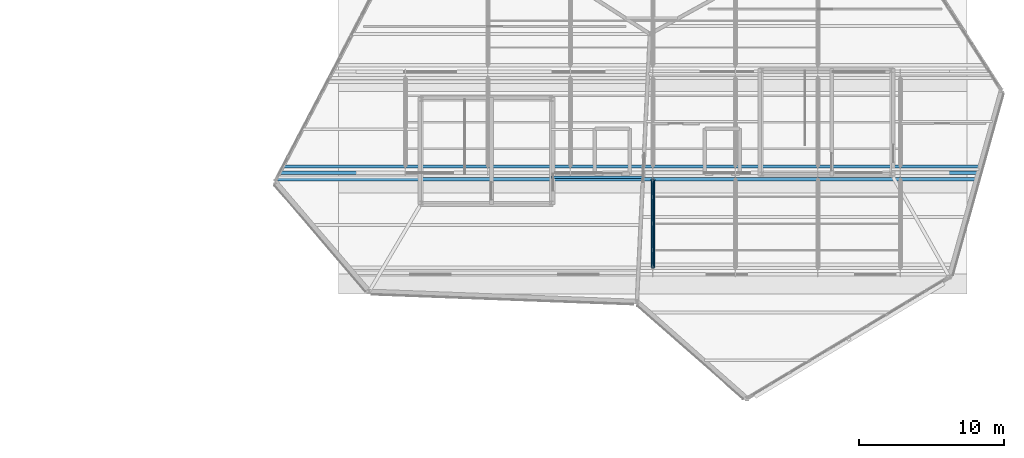
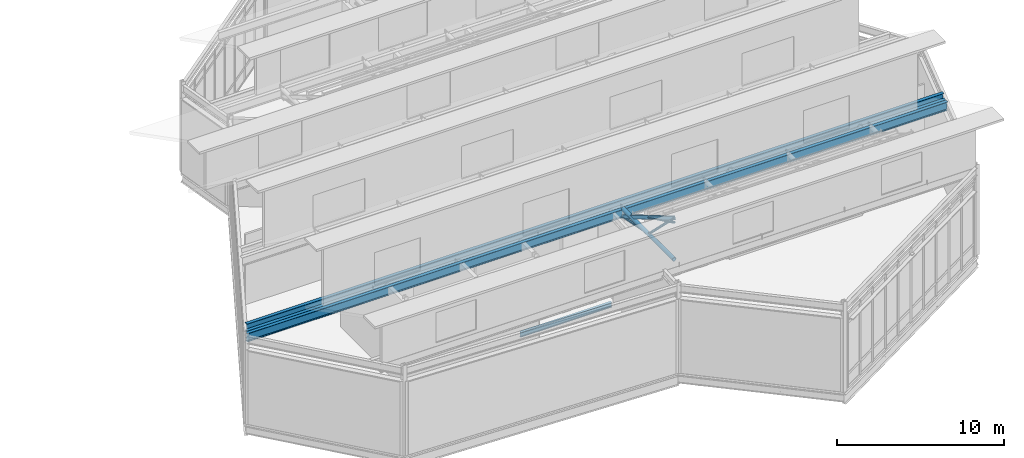
# One storey, part 14 of 55: 5 members, 4 beams.
"""IFC4 building model written with IfcOpenShell, lengths in metres."""

from ifc_helpers import new_model, si_unit, direction, frame, origin, origin_2d, place, context, subcontext, project, spatial, hollow_rectangle, hollow_circle, i_section, extrude, material, material_profile, profile_set, type_object, element, save


model = new_model("IFC4")

# Units and contexts
model_context = context("Model", 3, precision=1e-05, world=origin(), true_north=direction((0.0, 1.0)))
body_context = subcontext(model_context, "Body", "Model", "MODEL_VIEW")
ifc_project = project(units=[si_unit("LENGTHUNIT", "METRE"), si_unit("AREAUNIT", "SQUARE_METRE"), si_unit("VOLUMEUNIT", "CUBIC_METRE"), si_unit("PLANEANGLEUNIT", "RADIAN"), si_unit("MASSUNIT", "GRAM", prefix="KILO")], contexts=[model_context])

# Site, building, storey
site_placement = place(None, origin())
site = spatial("IfcSite", under=ifc_project, at=site_placement, CompositionType="ELEMENT")
building_placement = place(site_placement, origin())
building = spatial("IfcBuilding", under=site, at=building_placement, Name="Tameran Prism Museum", CompositionType="ELEMENT")
storey_placement = place(building_placement, frame((0.0, 0.0, 28.800048828125)))
storey = spatial("IfcBuildingStorey", under=building, at=storey_placement, Name="L05", CompositionType="ELEMENT", Elevation=28.800048828125)

# Beams
ifc_material_1 = material(Name="Steel Grade 300PLUS (300 MPa)", Category="steel")
ifc_material_profile_1 = material_profile(ifc_material_1, i_section(OverallWidth=0.172119140625, OverallDepth=0.35888671875, WebThickness=0.008056640625, FlangeThickness=0.012939453125, FilletRadius=0.011474609375, at=origin_2d()))
ifc_profile_set_1 = profile_set([ifc_material_profile_1])
beam_type_1 = type_object("IfcBeamType", Name="BM-J360A", PredefinedType="JOIST", material=ifc_profile_set_1)
beam_1_placement = place(storey_placement, frame((111.97998046875, 79.199951171875, -0.41943359375), z_axis=(1.0, 0.0, 0.0), x_axis=(0.0, 1.0, 0.0)))
element("IfcBeam", 1, at=beam_1_placement, inside=storey, type_object=beam_type_1, Name="Floor Beam BM-1286", PredefinedType="JOIST", context=body_context, shape_type="SweptSolid", body=[
    extrude(i_section(OverallWidth=0.172119140625, OverallDepth=0.35888671875, WebThickness=0.008056640625, FlangeThickness=0.012939453125, FilletRadius=0.011474609375, at=origin_2d()), origin(), (0.0, 0.0, 1.0), 6.298095703125),
])
ifc_material_2 = material(Name="Steel Grade 300PLUS (300 MPa)", Category="steel")
ifc_material_profile_2 = material_profile(ifc_material_2, i_section(OverallWidth=0.22900390625, OverallDepth=0.612060546875, WebThickness=0.011962890625, FlangeThickness=0.01953125, FilletRadius=0.013916015625, at=origin_2d()))
ifc_profile_set_2 = profile_set([ifc_material_profile_2])
beam_type_2 = type_object("IfcBeamType", Name="BM-UB610A", PredefinedType="BEAM", material=ifc_profile_set_2)
beam_2_placement = place(storey_placement, frame((93.029052734375, 79.06005859375, 6.10595703125), z_axis=(1.0, 0.0, 0.0), x_axis=(0.0, 1.0, 0.0)))
element("IfcBeam", 2, at=beam_2_placement, inside=storey, type_object=beam_type_2, Name="Sawtooth Support Girder SRG-005", PredefinedType="BEAM", context=body_context, shape_type="SweptSolid", body=[
    extrude(i_section(OverallWidth=0.22900390625, OverallDepth=0.612060546875, WebThickness=0.011962890625, FlangeThickness=0.01953125, FilletRadius=0.013916015625, at=origin_2d()), origin(), (0.0, 0.0, 1.0), 48.31591796875),
])
beam_3_placement = place(storey_placement, frame((93.488037109375, 79.93994140625, 6.10595703125), z_axis=(1.0, 0.0, 0.0), x_axis=(0.0, 1.0, 0.0)))
element("IfcBeam", 3, at=beam_3_placement, inside=storey, type_object=beam_type_2, Name="Sawtooth Support Girder SRG-010", PredefinedType="BEAM", context=body_context, shape_type="SweptSolid", body=[
    extrude(i_section(OverallWidth=0.22900390625, OverallDepth=0.612060546875, WebThickness=0.011962890625, FlangeThickness=0.01953125, FilletRadius=0.013916015625, at=origin_2d()), origin(), (0.0, 0.0, 1.0), 48.10302734375),
])
beam_4_placement = place(storey_placement, frame((93.259033203125, 79.5, 5.94384765625), z_axis=(1.0, 0.0, 0.0), x_axis=(0.0, 1.0, 0.0)))
element("IfcBeam", 4, at=beam_4_placement, inside=storey, type_object=beam_type_2, Name="Sawtooth Support Girder SRG-012", PredefinedType="BEAM", context=body_context, shape_type="SweptSolid", body=[
    extrude(i_section(OverallWidth=0.22900390625, OverallDepth=0.612060546875, WebThickness=0.011962890625, FlangeThickness=0.01953125, FilletRadius=0.013916015625, at=origin_2d()), origin(), (0.0, 0.0, 1.0), 48.208984375),
])

# Members
ifc_material_3 = material(Name="Steel Grade C350L0 (350 MPa)", Category="steel")
ifc_material_profile_3 = material_profile(ifc_material_3, hollow_circle(Radius=0.084228515625, WallThickness=0.007080078125, at=origin_2d()))
ifc_profile_set_3 = profile_set([ifc_material_profile_3])
member_type_1 = type_object("IfcMemberType", Name="MM-BR-CHS168", PredefinedType="BRACE", material=ifc_profile_set_3)
member_1_placement = place(storey_placement, frame((119.0, 76.0, 6.385986328125), z_axis=(0.0, -0.711407246691, 0.70278000068), x_axis=(1.0, 0.0, 0.0)))
element("IfcMember", 5, at=member_1_placement, inside=storey, type_object=member_type_1, Name="Sawtooth Brace STM-0005", PredefinedType="BRACE", context=body_context, shape_type="SweptSolid", body=[
    extrude(hollow_circle(Radius=0.084228515625, WallThickness=0.007080078125, at=origin_2d()), origin(), (0.0, 0.0, 1.0), 4.301513671875),
])
member_2_placement = place(storey_placement, frame((119.0, 76.0, 6.385986328125), z_axis=(0.0, 0.982674587879, -0.185339295177), x_axis=(-1.0, 0.0, 0.0)))
element("IfcMember", 6, at=member_2_placement, inside=storey, type_object=member_type_1, Name="Sawtooth Brace STM-0006", PredefinedType="BRACE", context=body_context, shape_type="SweptSolid", body=[
    extrude(hollow_circle(Radius=0.084228515625, WallThickness=0.007080078125, at=origin_2d()), origin(), (0.0, 0.0, 1.0), 3.114013671875),
])
ifc_material_4 = material(Name="Steel Grade C350L0 (350 MPa)", Category="steel")
ifc_material_profile_4 = material_profile(ifc_material_4, hollow_circle(Radius=0.136474609375, WallThickness=0.00927734375, at=origin_2d()))
ifc_profile_set_4 = profile_set([ifc_material_profile_4])
member_type_2 = type_object("IfcMemberType", Name="MM-CH-CHS273", PredefinedType="CHORD", material=ifc_profile_set_4)
member_3_placement = place(storey_placement, frame((119.0, 72.93994140625, 6.385986328125), z_axis=(0.0, 1.0, 0.0), x_axis=(-1.0, 0.0, 0.0)))
element("IfcMember", 7, at=member_3_placement, inside=storey, type_object=member_type_2, Name="Sawtooth Chord STM-0001", PredefinedType="CHORD", context=body_context, shape_type="SweptSolid", body=[
    extrude(hollow_circle(Radius=0.136474609375, WallThickness=0.00927734375, at=origin_2d()), origin(), (0.0, 0.0, 1.0), 6.1201171875),
])
ifc_material_5 = material(Name="Steel Grade C350L0 (350 MPa)", Category="steel")
ifc_material_profile_5 = material_profile(ifc_material_5, hollow_rectangle(XDim=0.14990234375, YDim=0.25, WallThickness=0.009033203125, InnerFilletRadius=0.013427734375, OuterFilletRadius=0.0224609375, at=origin_2d()))
ifc_profile_set_5 = profile_set([ifc_material_profile_5])
member_type_3 = type_object("IfcMemberType", Name="MM-RF-RHS250", PredefinedType="RAFTER", material=ifc_profile_set_5)
member_4_placement = place(storey_placement, frame((119.0, 72.93994140625, 9.408935546875), z_axis=(0.0, 0.861932447349, -0.507023131826), x_axis=(-1.0, 0.0, 0.0)))
element("IfcMember", 8, at=member_4_placement, inside=storey, type_object=member_type_3, Name="Sawtooth Rafter STM-0002", PredefinedType="RAFTER", context=body_context, shape_type="SweptSolid", body=[
    extrude(hollow_rectangle(XDim=0.14990234375, YDim=0.25, WallThickness=0.009033203125, InnerFilletRadius=0.013427734375, OuterFilletRadius=0.0224609375, at=origin_2d()), origin(), (0.0, 0.0, 1.0), 7.100341796875),
])
ifc_material_6 = material(Name="Steel Grade C350L0 (350 MPa)", Category="steel")
ifc_material_profile_6 = material_profile(ifc_material_6, hollow_circle(Radius=0.084228515625, WallThickness=0.007080078125, at=origin_2d()))
ifc_profile_set_6 = profile_set([ifc_material_profile_6])
member_type_4 = type_object("IfcMemberType", Name="MM-ST-CHS168", PredefinedType="STRUT", material=ifc_profile_set_6)
member_5_placement = place(storey_placement, frame((119.0, 72.93994140625, 9.0888671875), z_axis=(0.0, 0.900239175025, -0.435395713978), x_axis=(-1.0, 0.0, 0.0)))
element("IfcMember", 9, at=member_5_placement, inside=storey, type_object=member_type_4, Name="Sawtooth Strut STM-0007", PredefinedType="STRUT", context=body_context, shape_type="SweptSolid", body=[
    extrude(hollow_circle(Radius=0.084228515625, WallThickness=0.007080078125, at=origin_2d()), origin(), (0.0, 0.0, 1.0), 3.399169921875),
])

save(model, "model.ifc")
